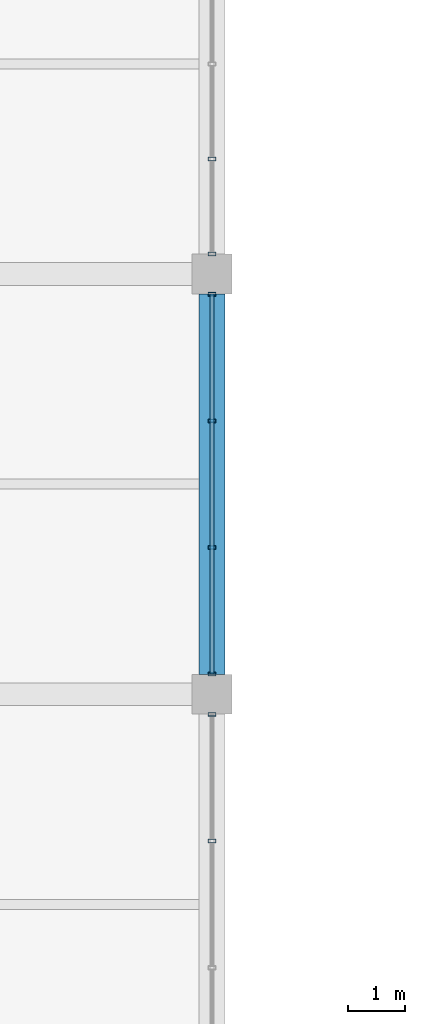
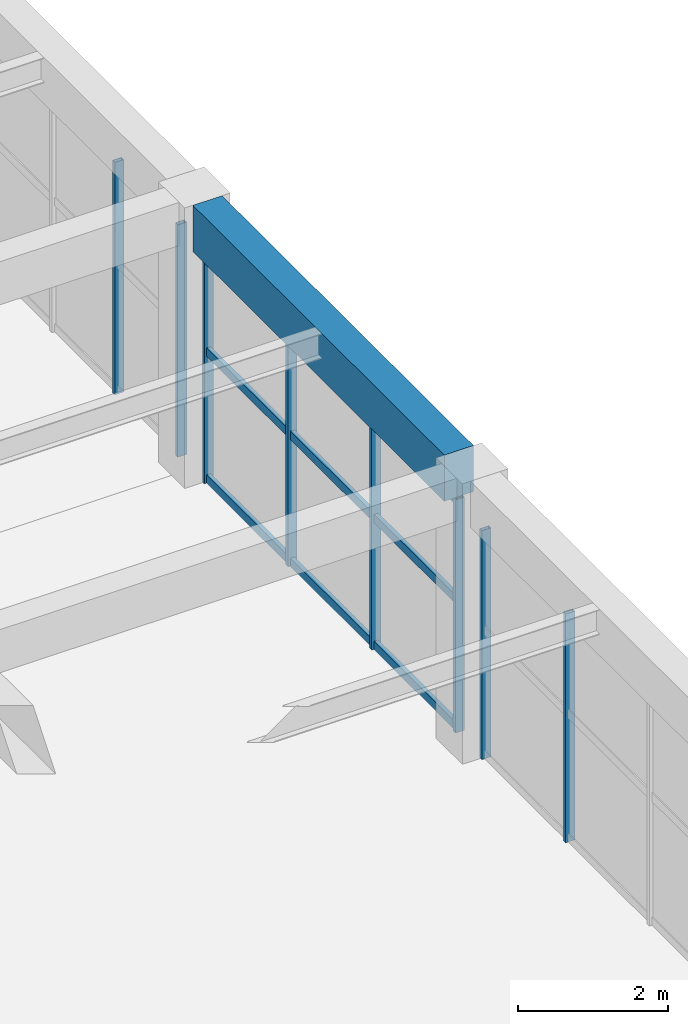
# One storey, part 74 of 161: 11 members, 1 beam, 3 elements without a shape of their own.
"""IFC4 building model written with IfcOpenShell, lengths in metres."""

from ifc_helpers import new_model, si_unit, direction, frame, origin, origin_2d, place, context, subcontext, project, spatial, rectangle, hollow_rectangle, extrude, material, material_profile, profile_set, type_object, element, aggregate, save


model = new_model("IFC4")

# Units and contexts
model_context = context("Model", 3, precision=1e-05, world=origin(), true_north=direction((0.0, 1.0)))
body_context = subcontext(model_context, "Body", "Model", "MODEL_VIEW")
ifc_project = project(units=[si_unit("LENGTHUNIT", "METRE"), si_unit("AREAUNIT", "SQUARE_METRE"), si_unit("VOLUMEUNIT", "CUBIC_METRE"), si_unit("PLANEANGLEUNIT", "RADIAN"), si_unit("MASSUNIT", "GRAM", prefix="KILO")], contexts=[model_context])

# Site, building, storey
site_placement = place(None, origin())
site = spatial("IfcSite", under=ifc_project, at=site_placement, CompositionType="ELEMENT")
building_placement = place(site_placement, origin())
building = spatial("IfcBuilding", under=site, at=building_placement, Name="Cimatlan Art Gallery", CompositionType="ELEMENT")
storey_placement = place(building_placement, frame((0.0, 0.0, 5.39990234375)))
storey = spatial("IfcBuildingStorey", under=building, at=storey_placement, Name="L01", CompositionType="ELEMENT", Elevation=5.39990234375)

# Beam
ifc_material_1 = material(Name="Concrete C40/50", Category="concrete")
ifc_material_profile_1 = material_profile(ifc_material_1, rectangle(XDim=0.449951171875, YDim=0.75, at=origin_2d()), Name="RC450X750")
ifc_profile_set_1 = profile_set([ifc_material_profile_1], Name="Concrete C40/50")
beam_type = type_object("IfcBeamType", Name="BM-RC-450X750", PredefinedType="BEAM", material=ifc_profile_set_1)
beam_placement = place(storey_placement, frame((50.60009765625, 68.64990234375, 4.18505859375), z_axis=(0.0, 1.0, 0.0), x_axis=(-1.0, 0.0, 0.0)))
element("IfcBeam", 1, at=beam_placement, inside=storey, type_object=beam_type, Name="BM-Y-L01-06-09", PredefinedType="BEAM", context=body_context, shape_type="SweptSolid", body=[
    extrude(rectangle(XDim=0.449951171875, YDim=0.75, at=origin_2d()), origin(), (0.0, 0.0, 1.0), 6.7001953125),
])

# Curtain wall, members
ifc_material_2 = material(Name="Anodised bronze unitised curtain wall")
curtain_wall_type_1 = type_object("IfcCurtainWallType", Name="CW-V-06692X03720-B3", PredefinedType="NOTDEFINED", material=ifc_material_2)
curtain_wall_1_placement = place(storey_placement, origin())
curtain_wall_1 = element("IfcCurtainWall", 2, at=curtain_wall_1_placement, inside=storey, type_object=curtain_wall_type_1, Name="CW-L01-05-08-E", PredefinedType="NOTDEFINED")
ifc_material_3 = material(Name="Anodised bronze aluminium 6063-T6", Category="aluminium")
ifc_material_profile_2 = material_profile(ifc_material_3, hollow_rectangle(XDim=0.06494140625, YDim=0.139892578125, WallThickness=0.00390625, at=origin_2d()), Name="ALU65X140X4")
ifc_profile_set_2 = profile_set([ifc_material_profile_2], Name="Anodised bronze aluminium 6063-T6")
member_type_1 = type_object("IfcMemberType", Name="CW-MUL-140", PredefinedType="MULLION", material=ifc_profile_set_2)
member_1_placement = place(storey_placement, frame((50.60009765625, 67.946044921875, 0.0), z_axis=(0.0, 0.0, 1.0), x_axis=(0.0, 1.0, 0.0)))
member_1 = element("IfcMember", 3, at=member_1_placement, type_object=member_type_1, Name="CW-L01-05-08-E-M1", PredefinedType="MULLION", context=body_context, shape_type="SweptSolid", body=[
    extrude(hollow_rectangle(XDim=0.06494140625, YDim=0.139892578125, WallThickness=0.00390625, at=origin_2d()), origin(), (0.0, 0.0, 1.0), 3.72021484375),
])
member_2_placement = place(storey_placement, frame((50.60009765625, 65.71533203125, 0.0), z_axis=(0.0, 0.0, 1.0), x_axis=(0.0, 1.0, 0.0)))
member_2 = element("IfcMember", 4, at=member_2_placement, type_object=member_type_1, Name="CW-L01-05-08-E-M2", PredefinedType="MULLION", context=body_context, shape_type="SweptSolid", body=[
    extrude(hollow_rectangle(XDim=0.06494140625, YDim=0.139892578125, WallThickness=0.00390625, at=origin_2d()), origin(), (0.0, 0.0, 1.0), 3.72021484375),
])
aggregate(curtain_wall_1, [member_1, member_2])

curtain_wall_type_2 = type_object("IfcCurtainWallType", Name="CW-V-06692X03795-B3", PredefinedType="NOTDEFINED", material=ifc_material_2)
curtain_wall_2_placement = place(storey_placement, origin())
curtain_wall_2 = element("IfcCurtainWall", 5, at=curtain_wall_2_placement, inside=storey, type_object=curtain_wall_type_2, Name="CW-L01-05-09-E", PredefinedType="NOTDEFINED")
member_3_placement = place(storey_placement, frame((50.60009765625, 75.345947265625, 0.0), z_axis=(0.0, 0.0, 1.0), x_axis=(0.0, 1.0, 0.0)))
member_3 = element("IfcMember", 6, at=member_3_placement, type_object=member_type_1, Name="CW-L01-05-09-E-M1", PredefinedType="MULLION", context=body_context, shape_type="SweptSolid", body=[
    extrude(hollow_rectangle(XDim=0.06494140625, YDim=0.139892578125, WallThickness=0.00390625, at=origin_2d()), origin(), (0.0, 0.0, 1.0), 3.795166015625),
])
member_4_placement = place(storey_placement, frame((50.60009765625, 73.115234375, 0.0), z_axis=(0.0, 0.0, 1.0), x_axis=(0.0, 1.0, 0.0)))
member_4 = element("IfcMember", 7, at=member_4_placement, type_object=member_type_1, Name="CW-L01-05-09-E-M2", PredefinedType="MULLION", context=body_context, shape_type="SweptSolid", body=[
    extrude(hollow_rectangle(XDim=0.06494140625, YDim=0.139892578125, WallThickness=0.00390625, at=origin_2d()), origin(), (0.0, 0.0, 1.0), 3.795166015625),
])
member_5_placement = place(storey_placement, frame((50.60009765625, 70.884765625, 0.0), z_axis=(0.0, 0.0, 1.0), x_axis=(0.0, 1.0, 0.0)))
member_5 = element("IfcMember", 8, at=member_5_placement, type_object=member_type_1, Name="CW-L01-05-09-E-M3", PredefinedType="MULLION", context=body_context, shape_type="SweptSolid", body=[
    extrude(hollow_rectangle(XDim=0.06494140625, YDim=0.139892578125, WallThickness=0.00390625, at=origin_2d()), origin(), (0.0, 0.0, 1.0), 3.795166015625),
])
member_6_placement = place(storey_placement, frame((50.60009765625, 68.654052734375, 0.0), z_axis=(0.0, 0.0, 1.0), x_axis=(0.0, 1.0, 0.0)))
member_6 = element("IfcMember", 9, at=member_6_placement, type_object=member_type_1, Name="CW-L01-05-09-E-M4", PredefinedType="MULLION", context=body_context, shape_type="SweptSolid", body=[
    extrude(hollow_rectangle(XDim=0.06494140625, YDim=0.139892578125, WallThickness=0.00390625, at=origin_2d()), origin(), (0.0, 0.0, 1.0), 3.795166015625),
])

curtain_wall_type_3 = type_object("IfcCurtainWallType", Name="CW-V-06692X03780-B4", PredefinedType="NOTDEFINED", material=ifc_material_2)
curtain_wall_3_placement = place(storey_placement, origin())
curtain_wall_3 = element("IfcCurtainWall", 10, at=curtain_wall_3_placement, inside=storey, type_object=curtain_wall_type_3, Name="CW-L01-05-10-E", PredefinedType="NOTDEFINED")
member_7_placement = place(storey_placement, frame((50.60009765625, 77.72705078125, 0.0), z_axis=(0.0, 0.0, 1.0), x_axis=(0.0, 1.0, 0.0)))
member_7 = element("IfcMember", 11, at=member_7_placement, type_object=member_type_1, Name="CW-L01-05-10-E-M4", PredefinedType="MULLION", context=body_context, shape_type="SweptSolid", body=[
    extrude(hollow_rectangle(XDim=0.06494140625, YDim=0.139892578125, WallThickness=0.00390625, at=origin_2d()), origin(), (0.0, 0.0, 1.0), 3.780029296875),
])
member_8_placement = place(storey_placement, frame((50.60009765625, 76.053955078125, 0.0), z_axis=(0.0, 0.0, 1.0), x_axis=(0.0, 1.0, 0.0)))
member_8 = element("IfcMember", 12, at=member_8_placement, type_object=member_type_1, Name="CW-L01-05-10-E-M5", PredefinedType="MULLION", context=body_context, shape_type="SweptSolid", body=[
    extrude(hollow_rectangle(XDim=0.06494140625, YDim=0.139892578125, WallThickness=0.00390625, at=origin_2d()), origin(), (0.0, 0.0, 1.0), 3.780029296875),
])
aggregate(curtain_wall_3, [member_7, member_8])

# Member
ifc_material_profile_3 = material_profile(ifc_material_3, hollow_rectangle(XDim=0.06494140625, YDim=0.139892578125, WallThickness=0.00390625, at=origin_2d()), Name="ALU65X140X4")
ifc_profile_set_3 = profile_set([ifc_material_profile_3], Name="Anodised bronze aluminium 6063-T6")
member_type_2 = type_object("IfcMemberType", Name="CW-TRN-140", PredefinedType="USERDEFINED", material=ifc_profile_set_3)
member_9_placement = place(storey_placement, frame((50.60009765625, 75.345947265625, 0.06005859375), z_axis=(0.0, -1.0, 0.0), x_axis=(1.0, 0.0, 0.0)))
member_9 = element("IfcMember", 13, at=member_9_placement, type_object=member_type_2, Name="CW-L01-05-09-E-T1", ObjectType="TRANSOM", PredefinedType="USERDEFINED", context=body_context, shape_type="SweptSolid", body=[
    extrude(hollow_rectangle(XDim=0.06494140625, YDim=0.139892578125, WallThickness=0.00390625, at=origin_2d()), origin(), (0.0, 0.0, 1.0), 6.69189453125),
])

member_10_placement = place(storey_placement, frame((50.60009765625, 75.345947265625, 2.125244140625), z_axis=(0.0, -1.0, 0.0), x_axis=(1.0, 0.0, 0.0)))
member_10 = element("IfcMember", 14, at=member_10_placement, type_object=member_type_2, Name="CW-L01-05-09-E-T2", ObjectType="TRANSOM", PredefinedType="USERDEFINED", context=body_context, shape_type="SweptSolid", body=[
    extrude(hollow_rectangle(XDim=0.06494140625, YDim=0.139892578125, WallThickness=0.00390625, at=origin_2d()), origin(), (0.0, 0.0, 1.0), 6.69189453125),
])

member_11_placement = place(storey_placement, frame((50.60009765625, 75.345947265625, 3.735107421875), z_axis=(0.0, -1.0, 0.0), x_axis=(1.0, 0.0, 0.0)))
member_11 = element("IfcMember", 15, at=member_11_placement, type_object=member_type_2, Name="CW-L01-05-09-E-T3", ObjectType="TRANSOM", PredefinedType="USERDEFINED", context=body_context, shape_type="SweptSolid", body=[
    extrude(hollow_rectangle(XDim=0.06494140625, YDim=0.139892578125, WallThickness=0.00390625, at=origin_2d()), origin(), (0.0, 0.0, 1.0), 6.69189453125),
])

aggregate(curtain_wall_2, [member_3, member_4, member_5, member_6, member_9, member_10, member_11])

save(model, "model.ifc")
